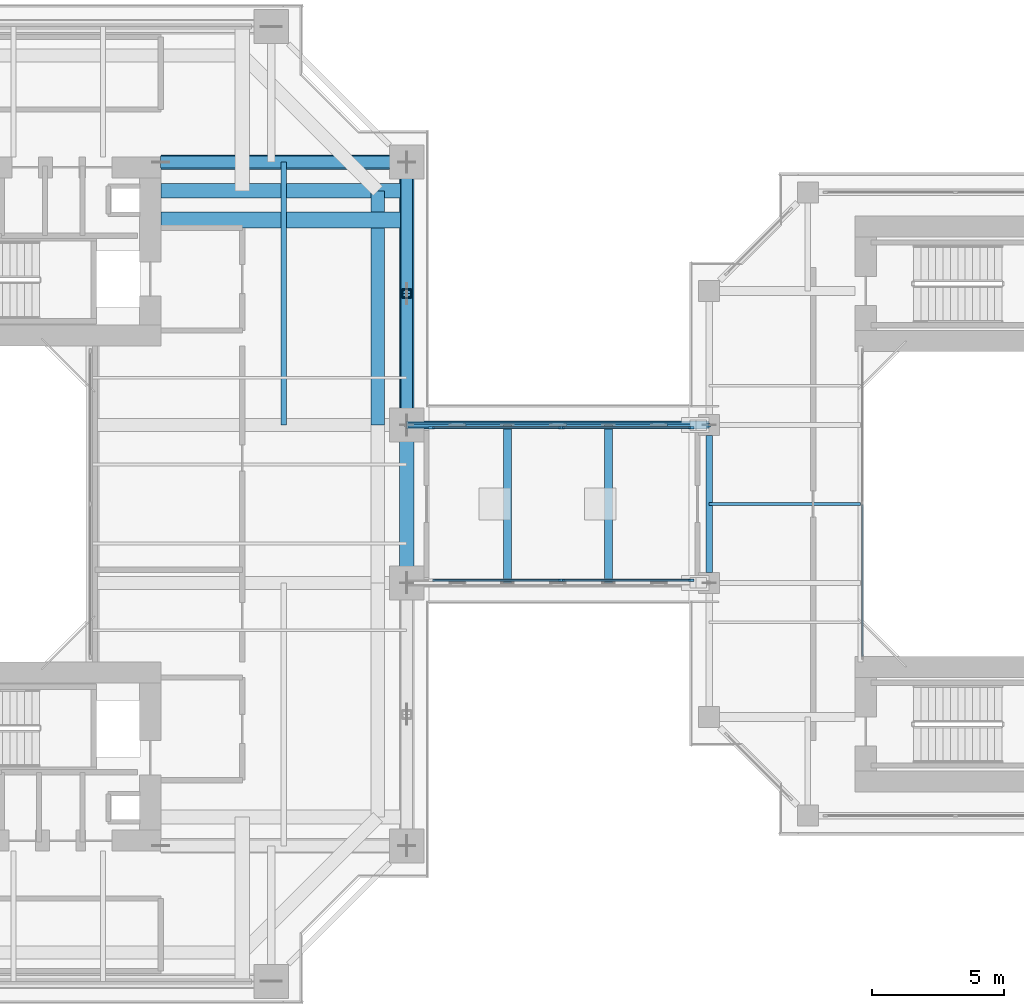
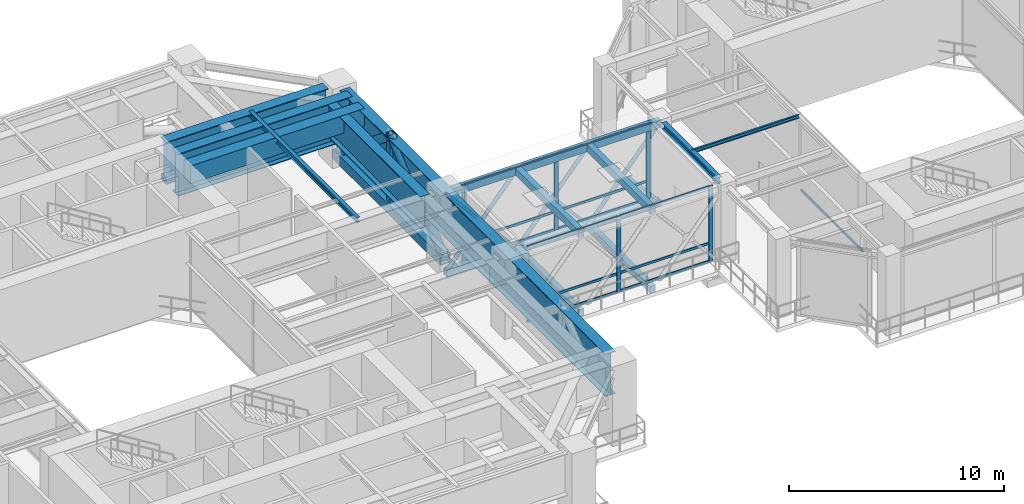
# One storey, part 7 of 25: 38 members, 8 beams, 3 elements without a shape of their own.
"""IFC4 building model written with IfcOpenShell, lengths in metres."""

from ifc_helpers import new_model, si_unit, direction, frame, origin, origin_2d, place, context, subcontext, project, spatial, rectangle, hollow_rectangle, hollow_circle, i_section, extrude, source, transform, mapped, material, layer, layer_set, material_profile, profile_set, type_object, element, aggregate, save


model = new_model("IFC4")

# Units and contexts
model_context = context("Model", 3, precision=1e-05, world=origin(), true_north=direction((0.0, 1.0)))
body_context = subcontext(model_context, "Body", "Model", "MODEL_VIEW")
ifc_project = project(units=[si_unit("LENGTHUNIT", "METRE"), si_unit("AREAUNIT", "SQUARE_METRE"), si_unit("VOLUMEUNIT", "CUBIC_METRE"), si_unit("PLANEANGLEUNIT", "RADIAN"), si_unit("MASSUNIT", "GRAM", prefix="KILO"), si_unit("THERMODYNAMICTEMPERATUREUNIT", "KELVIN"), si_unit("POWERUNIT", "WATT")], contexts=[model_context])

# Site, building, storey
site_placement = place(None, origin())
site = spatial("IfcSite", under=ifc_project, at=site_placement, CompositionType="ELEMENT")
building_placement = place(site_placement, origin())
building = spatial("IfcBuilding", under=site, at=building_placement, Name="Qiaomeng Ring Towers", CompositionType="ELEMENT")
storey_placement = place(building_placement, frame((0.0, 0.0, 92.5)))
storey = spatial("IfcBuildingStorey", under=building, at=storey_placement, Name="L26", CompositionType="ELEMENT", Elevation=92.5)

# Beams
ifc_material_1 = material(Name="Steel Q355B", Category="steel")
ifc_material_profile_1 = material_profile(ifc_material_1, i_section(OverallWidth=0.199951171875, OverallDepth=0.2939453125, WebThickness=0.008056640625, FlangeThickness=0.011962890625, FilletRadius=0.01806640625, at=origin_2d()), Name="HM 294x200x8x12")
ifc_profile_set_1 = profile_set([ifc_material_profile_1], Name="Steel Q355B")
beam_type_1 = type_object("IfcBeamType", Name="STR-BM-HM294", PredefinedType="JOIST", material=ifc_profile_set_1)
shared_shape_1 = source(origin(), body_context, "Body", "SweptSolid", [
    extrude(i_section(OverallWidth=0.199951171875, OverallDepth=0.2939453125, WebThickness=0.008056640625, FlangeThickness=0.011962890625, FilletRadius=0.01806640625, at=origin_2d()), origin(), (0.0, 0.0, 1.0), 10.0),
])
beam_1_placement = place(storey_placement, frame((32.47509765625, 26.0, 4.173095703125), z_axis=(0.0, 1.0, 0.0), x_axis=(-1.0, 0.0, 0.0)))
element("IfcBeam", 1, at=beam_1_placement, inside=storey, type_object=beam_type_1, Name="L26 beam STR-JST-L26-T1C-EN", PredefinedType="JOIST", context=body_context, shape_type="MappedRepresentation", body=[
    mapped(shared_shape_1, transform((0.0, 0.0, 0.0), x_axis=(1.0, 0.0, 0.0), y_axis=(0.0, 1.0, 0.0), z_axis=(0.0, 0.0, 1.0), scale=1.0)),
])
ifc_material_2 = material(Name="Concrete C60", Category="concrete")
ifc_material_profile_2 = material_profile(ifc_material_2, rectangle(XDim=0.60009765625, YDim=1.0, at=origin_2d()), Name="RC BM 600x1000")
ifc_profile_set_2 = profile_set([ifc_material_profile_2], Name="Concrete C60")
beam_type_2 = type_object("IfcBeamType", Name="STR-BM-RC1000", PredefinedType="LINTEL", material=ifc_profile_set_2)
shared_shape_2 = source(origin(), body_context, "Body", "SweptSolid", [
    extrude(rectangle(XDim=0.60009765625, YDim=1.0, at=origin_2d()), origin(), (0.0, 0.0, 1.0), 9.349853515625),
])
beam_2_placement = place(storey_placement, frame((27.800048828125, 33.800048828125, 3.820068359375), z_axis=(1.0, 0.0, 0.0), x_axis=(0.0, 1.0, 0.0)))
element("IfcBeam", 2, at=beam_2_placement, inside=storey, type_object=beam_type_2, Name="L26 beam STR-CB-L26-T1N", PredefinedType="LINTEL", context=body_context, shape_type="MappedRepresentation", body=[
    mapped(shared_shape_2, transform((0.0, 0.0, 0.0), x_axis=(1.0, 0.0, 0.0), y_axis=(0.0, 1.0, 0.0), z_axis=(0.0, 0.0, 1.0), scale=1.0)),
])

# Members
ifc_material_3 = material(Name="Steel Q390GJC", Category="steel")
ifc_material_profile_3 = material_profile(ifc_material_3, hollow_rectangle(XDim=0.35009765625, YDim=0.35009765625, WallThickness=0.02001953125, at=origin_2d()), Name="SHS 350x350x20")
ifc_profile_set_3 = profile_set([ifc_material_profile_3], Name="Steel Q390GJC")
member_type_1 = type_object("IfcMemberType", Name="STR-MB-POST-350", PredefinedType="POST", material=ifc_profile_set_3)
shared_shape_3 = source(origin(), body_context, "Body", "SweptSolid", [
    extrude(hollow_rectangle(XDim=0.35009765625, YDim=0.35009765625, WallThickness=0.02001953125, at=origin_2d()), origin(), (0.0, 0.0, 1.0), 4.0),
])
member_1_placement = place(storey_placement, frame((37.14990234375, 31.0, 0.320068359375), z_axis=(0.0, 0.0, 1.0), x_axis=(1.0, 0.0, 0.0)))
element("IfcMember", 3, at=member_1_placement, inside=storey, type_object=member_type_1, Name="L26 Belt Truss Post E3-E4", PredefinedType="POST", context=body_context, shape_type="MappedRepresentation", body=[
    mapped(shared_shape_3, transform((0.0, 0.0, 0.0), x_axis=(1.0, 0.0, 0.0), y_axis=(0.0, 1.0, 0.0), z_axis=(0.0, 0.0, 1.0), scale=1.0)),
])
ifc_material_profile_4 = material_profile(ifc_material_3, hollow_rectangle(XDim=0.550048828125, YDim=0.550048828125, WallThickness=0.031982421875, at=origin_2d()), Name="SHS 550x550x32")
ifc_profile_set_4 = profile_set([ifc_material_profile_4], Name="Steel Q390GJC")
member_type_2 = type_object("IfcMemberType", Name="STR-MB-CHORD-550", PredefinedType="CHORD", material=ifc_profile_set_4)
shared_shape_4 = source(origin(), body_context, "Body", "SweptSolid", [
    extrude(hollow_rectangle(XDim=0.550048828125, YDim=0.550048828125, WallThickness=0.031982421875, at=origin_2d()), origin(), (0.0, 0.0, 1.0), 10.0),
])
member_2_placement = place(storey_placement, frame((37.14990234375, 26.0, 0.320068359375), z_axis=(0.0, 1.0, 0.0), x_axis=(-1.0, 0.0, 0.0)))
element("IfcMember", 4, at=member_2_placement, inside=storey, type_object=member_type_2, Name="L26 Belt Truss Bottom Chord E3-E4", PredefinedType="CHORD", context=body_context, shape_type="MappedRepresentation", body=[
    mapped(shared_shape_4, transform((0.0, 0.0, 0.0), x_axis=(1.0, 0.0, 0.0), y_axis=(0.0, 1.0, 0.0), z_axis=(0.0, 0.0, 1.0), scale=1.0)),
])
ifc_material_profile_5 = material_profile(ifc_material_3, hollow_circle(Radius=0.228515625, WallThickness=0.028076171875, at=origin_2d()), Name="CHS 457x28")
ifc_profile_set_5 = profile_set([ifc_material_profile_5], Name="Steel Q390GJC")
member_type_3 = type_object("IfcMemberType", Name="STR-MB-BR-457", PredefinedType="BRACE", material=ifc_profile_set_5)
shared_shape_5 = source(origin(), body_context, "Body", "SweptSolid", [
    extrude(hollow_circle(Radius=0.228515625, WallThickness=0.028076171875, at=origin_2d()), origin(), (0.0, 0.0, 1.0), 6.390625),
])
for number, where, z_axis, x_axis, name in (
    (5, (37.14990234375, 26.0, 0.320068359375), (0.0, 0.782394587595, 0.622783035497), (-1.0, 0.0, 0.0), "L26 Belt Truss Diagonal E3-M"),
    (6, (37.14990234375, 36.0, 0.320068359375), (0.0, -0.782394587595, 0.622783035497), (1.0, 0.0, 0.0), "L26 Belt Truss Diagonal E4-M"),
):
    element("IfcMember", number, at=place(storey_placement, frame(where, z_axis=z_axis, x_axis=x_axis)), inside=storey, type_object=member_type_3, Name=name, PredefinedType="BRACE", context=body_context, shape_type="MappedRepresentation", body=[
        mapped(shared_shape_5, transform((0.0, 0.0, 0.0), x_axis=(1.0, 0.0, 0.0), y_axis=(0.0, 1.0, 0.0), z_axis=(0.0, 0.0, 1.0), scale=1.0)),
    ])
ifc_material_profile_6 = material_profile(ifc_material_3, hollow_rectangle(XDim=0.300048828125, YDim=0.39990234375, WallThickness=0.02197265625, at=origin_2d()), Name="RHS 400x300x22")
ifc_profile_set_6 = profile_set([ifc_material_profile_6], Name="Steel Q390GJC")
member_type_4 = type_object("IfcMemberType", Name="STR-MB-CHORD-400", PredefinedType="CHORD", material=ifc_profile_set_6)
shared_shape_6 = source(origin(), body_context, "Body", "SweptSolid", [
    extrude(hollow_rectangle(XDim=0.300048828125, YDim=0.39990234375, WallThickness=0.02197265625, at=origin_2d()), origin(), (0.0, 0.0, 1.0), 6.0),
])
for number, where, z_axis, x_axis, name in (
    (7, (40.98291015625, 20.0, -0.429931640625), (0.0, 1.0, 0.0), (-1.0, 0.0, 0.0), "Skybridge Bridge SB2 Deck Cross Beam 1"),
    (8, (40.98291015625, 20.0, 4.070068359375), (0.0, 1.0, 0.0), (-1.0, 0.0, 0.0), "Skybridge Bridge SB2 Canopy Cross Beam 1"),
    (9, (44.81689453125, 20.0, -0.429931640625), (0.0, 1.0, 0.0), (-1.0, 0.0, 0.0), "Skybridge Bridge SB2 Deck Cross Beam 2"),
    (10, (44.81689453125, 20.0, 4.070068359375), (0.0, 1.0, 0.0), (-1.0, 0.0, 0.0), "Skybridge Bridge SB2 Canopy Cross Beam 2"),
):
    element("IfcMember", number, at=place(storey_placement, frame(where, z_axis=z_axis, x_axis=x_axis)), inside=storey, type_object=member_type_4, Name=name, PredefinedType="CHORD", context=body_context, shape_type="MappedRepresentation", body=[
        mapped(shared_shape_6, transform((0.0, 0.0, 0.0), x_axis=(1.0, 0.0, 0.0), y_axis=(0.0, 1.0, 0.0), z_axis=(0.0, 0.0, 1.0), scale=1.0)),
    ])

# Beams
ifc_material_profile_7 = material_profile(ifc_material_1, i_section(OverallWidth=0.25, OverallDepth=0.340087890625, WebThickness=0.009033203125, FlangeThickness=0.013916015625, FilletRadius=0.02001953125, at=origin_2d()), Name="HM 340x250x9x14")
ifc_profile_set_7 = profile_set([ifc_material_profile_7], Name="Steel Q355B")
beam_type_3 = type_object("IfcBeamType", Name="STR-BM-HM340", PredefinedType="SPANDREL", material=ifc_profile_set_7)
shared_shape_7 = source(origin(), body_context, "Body", "SweptSolid", [
    extrude(i_section(OverallWidth=0.25, OverallDepth=0.340087890625, WebThickness=0.009033203125, FlangeThickness=0.013916015625, FilletRadius=0.02001953125, at=origin_2d()), origin(), (0.0, 0.0, 1.0), 5.2021484375),
])
beam_3_placement = place(storey_placement, frame((48.64990234375, 25.60107421875, 4.14990234375), z_axis=(0.0, -1.0, 0.0), x_axis=(1.0, 0.0, 0.0)))
element("IfcBeam", 11, at=beam_3_placement, inside=storey, type_object=beam_type_3, Name="L26 beam STR-SP-L26-T2-W3-W2", PredefinedType="SPANDREL", context=body_context, shape_type="MappedRepresentation", body=[
    mapped(shared_shape_7, transform((0.0, 0.0, 0.0), x_axis=(1.0, 0.0, 0.0), y_axis=(0.0, 1.0, 0.0), z_axis=(0.0, 0.0, 1.0), scale=1.0)),
])
ifc_material_profile_8 = material_profile(ifc_material_1, i_section(OverallWidth=0.10009765625, OverallDepth=0.199951171875, WebThickness=0.005615234375, FlangeThickness=0.008056640625, FilletRadius=0.010986328125, at=origin_2d()), Name="HN 200x100x5.5x8")
ifc_profile_set_8 = profile_set([ifc_material_profile_8], Name="Steel Q355B")
beam_type_4 = type_object("IfcBeamType", Name="STR-BM-HN200", PredefinedType="JOIST", material=ifc_profile_set_8)
shared_shape_8 = source(origin(), body_context, "Body", "SweptSolid", [
    extrude(i_section(OverallWidth=0.10009765625, OverallDepth=0.199951171875, WebThickness=0.005615234375, FlangeThickness=0.008056640625, FilletRadius=0.010986328125, at=origin_2d()), origin(), (0.0, 0.0, 1.0), 5.75),
])
beam_4_placement = place(storey_placement, frame((48.64990234375, 23.0, 4.219970703125), z_axis=(1.0, 0.0, 0.0), x_axis=(0.0, 1.0, 0.0)))
element("IfcBeam", 12, at=beam_4_placement, inside=storey, type_object=beam_type_4, Name="L26 beam STR-JST-L26-T2W-2", PredefinedType="JOIST", context=body_context, shape_type="MappedRepresentation", body=[
    mapped(shared_shape_8, transform((0.0, 0.0, 0.0), x_axis=(1.0, 0.0, 0.0), y_axis=(0.0, 1.0, 0.0), z_axis=(0.0, 0.0, 1.0), scale=1.0)),
])
ifc_material_profile_9 = material_profile(ifc_material_3, i_section(OverallWidth=0.550048828125, OverallDepth=2.39990234375, WebThickness=0.02587890625, FlangeThickness=0.035888671875, at=origin_2d()), Name="WH 2400x550x26x36")
ifc_profile_set_9 = profile_set([ifc_material_profile_9], Name="Steel Q390GJC")
beam_type_5 = type_object("IfcBeamType", Name="STR-TG-WH2400", PredefinedType="USERDEFINED", material=ifc_profile_set_9)
shared_shape_9 = source(origin(), body_context, "Body", "SweptSolid", [
    extrude(i_section(OverallWidth=0.550048828125, OverallDepth=2.39990234375, WebThickness=0.02587890625, FlangeThickness=0.035888671875, at=origin_2d()), origin(), (0.0, 0.0, 1.0), 24.7021484375),
])
beam_5_placement = place(storey_placement, frame((37.14990234375, 10.64892578125, 3.1201171875), z_axis=(0.0, 1.0, 0.0), x_axis=(-1.0, 0.0, 0.0)))
element("IfcBeam", 13, at=beam_5_placement, inside=storey, type_object=beam_type_5, Name="L26 Transfer Girder STR-TG2-L26-OUT-E", ObjectType="TRANSFER GIRDER", PredefinedType="USERDEFINED", context=body_context, shape_type="MappedRepresentation", body=[
    mapped(shared_shape_9, transform((0.0, 0.0, 0.0), x_axis=(1.0, 0.0, 0.0), y_axis=(0.0, 1.0, 0.0), z_axis=(0.0, 0.0, 1.0), scale=1.0)),
])
shared_shape_10 = source(origin(), body_context, "Body", "SweptSolid", [
    extrude(i_section(OverallWidth=0.550048828125, OverallDepth=2.39990234375, WebThickness=0.02587890625, FlangeThickness=0.035888671875, at=origin_2d()), origin(), (0.0, 0.0, 1.0), 8.700927734375),
])
beam_6_placement = place(storey_placement, frame((27.800048828125, 36.0, 3.1201171875), z_axis=(1.0, 0.0, 0.0), x_axis=(0.0, 1.0, 0.0)))
element("IfcBeam", 14, at=beam_6_placement, inside=storey, type_object=beam_type_5, Name="L26 Transfer Girder STR-TG2-L26-E4-CUR", ObjectType="TRANSFER GIRDER", PredefinedType="USERDEFINED", context=body_context, shape_type="MappedRepresentation", body=[
    mapped(shared_shape_10, transform((0.0, 0.0, 0.0), x_axis=(1.0, 0.0, 0.0), y_axis=(0.0, 1.0, 0.0), z_axis=(0.0, 0.0, 1.0), scale=1.0)),
])
shared_shape_11 = source(origin(), body_context, "Body", "SweptSolid", [
    extrude(i_section(OverallWidth=0.550048828125, OverallDepth=2.39990234375, WebThickness=0.02587890625, FlangeThickness=0.035888671875, at=origin_2d()), origin(), (0.0, 0.0, 1.0), 9.349853515625),
])
beam_7_placement = place(storey_placement, frame((27.800048828125, 34.89990234375, 3.1201171875), z_axis=(1.0, 0.0, 0.0), x_axis=(0.0, 1.0, 0.0)))
element("IfcBeam", 15, at=beam_7_placement, inside=storey, type_object=beam_type_5, Name="L26 Transfer Girder STR-TG2-L26-E4-NXT", ObjectType="TRANSFER GIRDER", PredefinedType="USERDEFINED", context=body_context, shape_type="MappedRepresentation", body=[
    mapped(shared_shape_11, transform((0.0, 0.0, 0.0), x_axis=(1.0, 0.0, 0.0), y_axis=(0.0, 1.0, 0.0), z_axis=(0.0, 0.0, 1.0), scale=1.0)),
])
ifc_material_profile_10 = material_profile(ifc_material_3, i_section(OverallWidth=0.5, OverallDepth=1.800048828125, WebThickness=0.02392578125, FlangeThickness=0.035888671875, at=origin_2d()), Name="WH 1800x500x24x36")
ifc_profile_set_10 = profile_set([ifc_material_profile_10], Name="Steel Q390GJC")
beam_type_6 = type_object("IfcBeamType", Name="STR-TG-WH1800", PredefinedType="USERDEFINED", material=ifc_profile_set_10)
shared_shape_12 = source(origin(), body_context, "Body", "SweptSolid", [
    extrude(i_section(OverallWidth=0.5, OverallDepth=1.800048828125, WebThickness=0.02392578125, FlangeThickness=0.035888671875, at=origin_2d()), origin(), (0.0, 0.0, 1.0), 8.89990234375),
])
beam_8_placement = place(storey_placement, frame((36.050048828125, 26.0, 3.419921875), z_axis=(0.0, 1.0, 0.0), x_axis=(-1.0, 0.0, 0.0)))
element("IfcBeam", 16, at=beam_8_placement, inside=storey, type_object=beam_type_6, Name="L26 Transfer Girder STR-TG3-L26-E3-E4", ObjectType="TRANSFER GIRDER", PredefinedType="USERDEFINED", context=body_context, shape_type="MappedRepresentation", body=[
    mapped(shared_shape_12, transform((0.0, 0.0, 0.0), x_axis=(1.0, 0.0, 0.0), y_axis=(0.0, 1.0, 0.0), z_axis=(0.0, 0.0, 1.0), scale=1.0)),
])

# Members
shared_shape_13 = source(origin(), body_context, "Body", "SweptSolid", [
    extrude(hollow_circle(Radius=0.228515625, WallThickness=0.028076171875, at=origin_2d()), origin(), (0.0, 0.0, 1.0), 9.3564453125),
])
member_3_placement = place(storey_placement, frame((27.800048828125, 36.0, 2.14990234375), z_axis=(0.999299702771, 0.0, 0.037417964169), x_axis=(0.0, 1.0, 0.0)))
element("IfcMember", 17, at=member_3_placement, inside=storey, type_object=member_type_3, Name="L26 Core Outrigger Truss Diagonal E4", PredefinedType="BRACE", context=body_context, shape_type="MappedRepresentation", body=[
    mapped(shared_shape_13, transform((0.0, 0.0, 0.0), x_axis=(1.0, 0.0, 0.0), y_axis=(0.0, 1.0, 0.0), z_axis=(0.0, 0.0, 1.0), scale=1.0)),
])
shared_shape_14 = source(origin(), body_context, "Body", "SweptSolid", [
    extrude(hollow_rectangle(XDim=0.300048828125, YDim=0.39990234375, WallThickness=0.02197265625, at=origin_2d()), origin(), (0.0, 0.0, 1.0), 11.5),
])
for number, where, z_axis, x_axis, name in (
    (18, (37.14990234375, 26.0, -0.429931640625), (1.0, 0.0, 0.0), (0.0, 1.0, 0.0), "Skybridge Bridge SB2 Primary Bottom Chord N"),
    (19, (37.14990234375, 26.0, 4.070068359375), (1.0, 0.0, 0.0), (0.0, 1.0, 0.0), "Skybridge Bridge SB2 Primary Top Chord N"),
):
    element("IfcMember", number, at=place(storey_placement, frame(where, z_axis=z_axis, x_axis=x_axis)), inside=storey, type_object=member_type_4, Name=name, PredefinedType="CHORD", context=body_context, shape_type="MappedRepresentation", body=[
        mapped(shared_shape_14, transform((0.0, 0.0, 0.0), x_axis=(1.0, 0.0, 0.0), y_axis=(0.0, 1.0, 0.0), z_axis=(0.0, 0.0, 1.0), scale=1.0)),
    ])
ifc_material_profile_11 = material_profile(ifc_material_3, hollow_circle(Radius=0.109619140625, WallThickness=0.011962890625, at=origin_2d()), Name="CHS 219x12")
ifc_profile_set_11 = profile_set([ifc_material_profile_11], Name="Steel Q390GJC")
member_type_5 = type_object("IfcMemberType", Name="STR-MB-BR-219", PredefinedType="BRACE", material=ifc_profile_set_11)
shared_shape_15 = source(origin(), body_context, "Body", "SweptSolid", [
    extrude(hollow_circle(Radius=0.109619140625, WallThickness=0.011962890625, at=origin_2d()), origin(), (0.0, 0.0, 1.0), 5.9111328125),
])
for number, where, z_axis, x_axis, name in (
    (20, (37.14990234375, 26.0, -0.429931640625), (0.64843454317, 0.0, 0.761270413995), (0.0, 1.0, 0.0), "Skybridge Bridge SB2 Truss Diagonal N-1"),
    (21, (44.81689453125, 26.0, -0.429931640625), (0.64843454317, 0.0, 0.761270413995), (0.0, 1.0, 0.0), "Skybridge Bridge SB2 Truss Diagonal N-3"),
):
    element("IfcMember", number, at=place(storey_placement, frame(where, z_axis=z_axis, x_axis=x_axis)), inside=storey, type_object=member_type_5, Name=name, PredefinedType="BRACE", context=body_context, shape_type="MappedRepresentation", body=[
        mapped(shared_shape_15, transform((0.0, 0.0, 0.0), x_axis=(1.0, 0.0, 0.0), y_axis=(0.0, 1.0, 0.0), z_axis=(0.0, 0.0, 1.0), scale=1.0)),
    ])
ifc_material_profile_12 = material_profile(ifc_material_3, hollow_circle(Radius=0.083984375, WallThickness=0.008056640625, at=origin_2d()), Name="CHS 168x8")
ifc_profile_set_12 = profile_set([ifc_material_profile_12], Name="Steel Q390GJC")
member_type_6 = type_object("IfcMemberType", Name="STR-MB-BR-168", PredefinedType="BRACE", material=ifc_profile_set_12)
shared_shape_16 = source(origin(), body_context, "Body", "SweptSolid", [
    extrude(hollow_circle(Radius=0.083984375, WallThickness=0.008056640625, at=origin_2d()), origin(), (0.0, 0.0, 1.0), 2.541748046875),
])
for number, where, z_axis, x_axis, name in (
    (22, (40.98291015625, 26.0, -0.429931640625), (-0.648470578799, 0.0, 0.761239718113), (0.0, -1.0, 0.0), "Skybridge Bridge SB2 Split X-Brace Lower N-1"),
    (23, (38.798095703125, 26.0, 2.135009765625), (-0.648423164028, 0.0, 0.761280106368), (0.0, -1.0, 0.0), "Skybridge Bridge SB2 Split X-Brace Upper N-1"),
    (24, (44.81689453125, 26.0, -0.429931640625), (-0.648526236398, 0.0, 0.761192302052), (0.0, -1.0, 0.0), "Skybridge Bridge SB2 Split X-Brace Lower N-2"),
    (25, (48.64990234375, 26.0, -0.429931640625), (-0.648470578799, 0.0, 0.761239718113), (0.0, -1.0, 0.0), "Skybridge Bridge SB2 Split X-Brace Lower N-3"),
    (26, (46.465087890625, 26.0, 2.135009765625), (-0.648423164028, 0.0, 0.761280106368), (0.0, -1.0, 0.0), "Skybridge Bridge SB2 Split X-Brace Upper N-3"),
):
    element("IfcMember", number, at=place(storey_placement, frame(where, z_axis=z_axis, x_axis=x_axis)), inside=storey, type_object=member_type_6, Name=name, PredefinedType="BRACE", context=body_context, shape_type="MappedRepresentation", body=[
        mapped(shared_shape_16, transform((0.0, 0.0, 0.0), x_axis=(1.0, 0.0, 0.0), y_axis=(0.0, 1.0, 0.0), z_axis=(0.0, 0.0, 1.0), scale=1.0)),
    ])
shared_shape_17 = source(origin(), body_context, "Body", "SweptSolid", [
    extrude(hollow_circle(Radius=0.109619140625, WallThickness=0.011962890625, at=origin_2d()), origin(), (0.0, 0.0, 1.0), 5.911865234375),
])
member_4_placement = place(storey_placement, frame((40.98291015625, 26.0, -0.429931640625), z_axis=(0.648530270204, 0.0, 0.761188865282), x_axis=(0.0, 1.0, 0.0)))
element("IfcMember", 27, at=member_4_placement, inside=storey, type_object=member_type_5, Name="Skybridge Bridge SB2 Truss Diagonal N-2", PredefinedType="BRACE", context=body_context, shape_type="MappedRepresentation", body=[
    mapped(shared_shape_17, transform((0.0, 0.0, 0.0), x_axis=(1.0, 0.0, 0.0), y_axis=(0.0, 1.0, 0.0), z_axis=(0.0, 0.0, 1.0), scale=1.0)),
])
shared_shape_18 = source(origin(), body_context, "Body", "SweptSolid", [
    extrude(hollow_circle(Radius=0.083984375, WallThickness=0.008056640625, at=origin_2d()), origin(), (0.0, 0.0, 1.0), 2.542236328125),
])
member_5_placement = place(storey_placement, frame((42.631591796875, 26.0, 2.135009765625), z_axis=(-0.648534472502, 0.0, 0.761185284918), x_axis=(0.0, -1.0, 0.0)))
element("IfcMember", 28, at=member_5_placement, inside=storey, type_object=member_type_6, Name="Skybridge Bridge SB2 Split X-Brace Upper N-2", PredefinedType="BRACE", context=body_context, shape_type="MappedRepresentation", body=[
    mapped(shared_shape_18, transform((0.0, 0.0, 0.0), x_axis=(1.0, 0.0, 0.0), y_axis=(0.0, 1.0, 0.0), z_axis=(0.0, 0.0, 1.0), scale=1.0)),
])

# Curtain wall, member
ifc_material_4 = material(Name="Fluorocarbon dark-grey aluminium", Category="aluminium")
ifc_layer_1 = layer(ifc_material_4, 0.139892578125, Name="Fluorocarbon dark-grey aluminium")
ifc_layer_set_1 = layer_set([ifc_layer_1], Name="Fluorocarbon dark-grey aluminium")
curtain_wall_type_1 = type_object("IfcCurtainWallType", Name="ARC-CW-4", PredefinedType="NOTDEFINED", material=ifc_layer_set_1)
curtain_wall_1_placement = place(storey_placement, origin())
curtain_wall_1 = element("IfcCurtainWall", 29, at=curtain_wall_1_placement, inside=storey, type_object=curtain_wall_type_1, Name="L26 Curtain Wall CW4", PredefinedType="NOTDEFINED")
ifc_material_profile_13 = material_profile(ifc_material_4, rectangle(XDim=0.06494140625, YDim=0.1298828125, at=origin_2d()), Name="ALU TRAN 65x130")
ifc_profile_set_13 = profile_set([ifc_material_profile_13], Name="Fluorocarbon dark-grey aluminium")
member_type_7 = type_object("IfcMemberType", Name="ARC-CWT-120", PredefinedType="USERDEFINED", material=ifc_profile_set_13)
shared_shape_19 = source(origin(), body_context, "Body", "SweptSolid", [
    extrude(rectangle(XDim=0.06494140625, YDim=0.1298828125, at=origin_2d()), origin(), (0.0, 0.0, 1.0), 5.75244140625),
])
member_6_placement = place(storey_placement, frame((54.47998046875, 17.215087890625, 0.032470703125), z_axis=(0.0, 1.0, 0.0), x_axis=(-1.0, 0.0, 0.0)))
member_6 = element("IfcMember", 30, at=member_6_placement, type_object=member_type_7, Name="CW4 transom 1.1", ObjectType="TRANSOM", PredefinedType="USERDEFINED", context=body_context, shape_type="MappedRepresentation", body=[
    mapped(shared_shape_19, transform((0.0, 0.0, 0.0), x_axis=(1.0, 0.0, 0.0), y_axis=(0.0, 1.0, 0.0), z_axis=(0.0, 0.0, 1.0), scale=1.0)),
])
aggregate(curtain_wall_1, [member_6])

# Curtain wall, members
ifc_layer_2 = layer(ifc_material_4, 0.169921875, Name="Fluorocarbon dark-grey aluminium")
ifc_layer_set_2 = layer_set([ifc_layer_2], Name="Fluorocarbon dark-grey aluminium")
curtain_wall_type_2 = type_object("IfcCurtainWallType", Name="ARC-CW-6", PredefinedType="NOTDEFINED", material=ifc_layer_set_2)
curtain_wall_2_placement = place(storey_placement, origin())
curtain_wall_2 = element("IfcCurtainWall", 31, at=curtain_wall_2_placement, inside=storey, type_object=curtain_wall_type_2, Name="L26 Curtain Wall CW6", PredefinedType="NOTDEFINED")
ifc_material_profile_14 = material_profile(ifc_material_4, rectangle(XDim=0.080078125, YDim=0.219970703125, at=origin_2d()), Name="ALU MULL 80x220")
ifc_profile_set_14 = profile_set([ifc_material_profile_14], Name="Fluorocarbon dark-grey aluminium")
member_type_8 = type_object("IfcMemberType", Name="ARC-CWM-180", PredefinedType="MULLION", material=ifc_profile_set_14)
shared_shape_20 = source(origin(), body_context, "Body", "SweptSolid", [
    extrude(rectangle(XDim=0.080078125, YDim=0.219970703125, at=origin_2d()), origin(), (0.0, 0.0, 1.0), 4.280029296875),
])
member_7_placement = place(storey_placement, frame((43.030029296875, 20.10009765625, 0.0), z_axis=(0.0, 0.0, 1.0), x_axis=(0.0, 1.0, 0.0)))
member_7 = element("IfcMember", 32, at=member_7_placement, type_object=member_type_8, Name="CW6 mullion 2", PredefinedType="MULLION", context=body_context, shape_type="MappedRepresentation", body=[
    mapped(shared_shape_20, transform((0.0, 0.0, 0.0), x_axis=(1.0, 0.0, 0.0), y_axis=(0.0, 1.0, 0.0), z_axis=(0.0, 0.0, 1.0), scale=1.0)),
])
member_8_placement = place(storey_placement, frame((47.969970703125, 20.10009765625, 0.0), z_axis=(0.0, 0.0, 1.0), x_axis=(0.0, 1.0, 0.0)))
member_8 = element("IfcMember", 33, at=member_8_placement, type_object=member_type_8, Name="CW6 mullion 3", PredefinedType="MULLION", context=body_context, shape_type="MappedRepresentation", body=[
    mapped(shared_shape_20, transform((0.0, 0.0, 0.0), x_axis=(1.0, 0.0, 0.0), y_axis=(0.0, 1.0, 0.0), z_axis=(0.0, 0.0, 1.0), scale=1.0)),
])

curtain_wall_3_placement = place(storey_placement, origin())
curtain_wall_3 = element("IfcCurtainWall", 34, at=curtain_wall_3_placement, inside=storey, type_object=curtain_wall_type_2, Name="L26 Curtain Wall CW6", PredefinedType="NOTDEFINED")
member_9_placement = place(storey_placement, frame((38.090087890625, 25.89990234375, 0.0), z_axis=(0.0, 0.0, 1.0), x_axis=(0.0, 1.0, 0.0)))
member_9 = element("IfcMember", 35, at=member_9_placement, type_object=member_type_8, Name="CW6 mullion 1", PredefinedType="MULLION", context=body_context, shape_type="MappedRepresentation", body=[
    mapped(shared_shape_20, transform((0.0, 0.0, 0.0), x_axis=(1.0, 0.0, 0.0), y_axis=(0.0, 1.0, 0.0), z_axis=(0.0, 0.0, 1.0), scale=1.0)),
])
member_10_placement = place(storey_placement, frame((43.030029296875, 25.89990234375, 0.0), z_axis=(0.0, 0.0, 1.0), x_axis=(0.0, 1.0, 0.0)))
member_10 = element("IfcMember", 36, at=member_10_placement, type_object=member_type_8, Name="CW6 mullion 2", PredefinedType="MULLION", context=body_context, shape_type="MappedRepresentation", body=[
    mapped(shared_shape_20, transform((0.0, 0.0, 0.0), x_axis=(1.0, 0.0, 0.0), y_axis=(0.0, 1.0, 0.0), z_axis=(0.0, 0.0, 1.0), scale=1.0)),
])
member_11_placement = place(storey_placement, frame((47.969970703125, 25.89990234375, 0.0), z_axis=(0.0, 0.0, 1.0), x_axis=(0.0, 1.0, 0.0)))
member_11 = element("IfcMember", 37, at=member_11_placement, type_object=member_type_8, Name="CW6 mullion 3", PredefinedType="MULLION", context=body_context, shape_type="MappedRepresentation", body=[
    mapped(shared_shape_20, transform((0.0, 0.0, 0.0), x_axis=(1.0, 0.0, 0.0), y_axis=(0.0, 1.0, 0.0), z_axis=(0.0, 0.0, 1.0), scale=1.0)),
])

# Member
ifc_material_profile_15 = material_profile(ifc_material_4, rectangle(XDim=0.070068359375, YDim=0.139892578125, at=origin_2d()), Name="ALU TRAN 70x140")
ifc_profile_set_15 = profile_set([ifc_material_profile_15], Name="Fluorocarbon dark-grey aluminium")
member_type_9 = type_object("IfcMemberType", Name="ARC-CWT-140", PredefinedType="USERDEFINED", material=ifc_profile_set_15)
shared_shape_21 = source(origin(), body_context, "Body", "SweptSolid", [
    extrude(rectangle(XDim=0.070068359375, YDim=0.139892578125, at=origin_2d()), origin(), (0.0, 0.0, 1.0), 4.860107421875),
])
member_12_placement = place(storey_placement, frame((38.1298828125, 20.10009765625, 0.034912109375), z_axis=(1.0, 0.0, 0.0), x_axis=(0.0, 1.0, 0.0)))
member_12 = element("IfcMember", 38, at=member_12_placement, type_object=member_type_9, Name="CW6 transom 1.1", ObjectType="TRANSOM", PredefinedType="USERDEFINED", context=body_context, shape_type="MappedRepresentation", body=[
    mapped(shared_shape_21, transform((0.0, 0.0, 0.0), x_axis=(1.0, 0.0, 0.0), y_axis=(0.0, 1.0, 0.0), z_axis=(0.0, 0.0, 1.0), scale=1.0)),
])

member_13_placement = place(storey_placement, frame((38.1298828125, 20.10009765625, 1.050048828125), z_axis=(1.0, 0.0, 0.0), x_axis=(0.0, 1.0, 0.0)))
member_13 = element("IfcMember", 39, at=member_13_placement, type_object=member_type_9, Name="CW6 transom 1.2", ObjectType="TRANSOM", PredefinedType="USERDEFINED", context=body_context, shape_type="MappedRepresentation", body=[
    mapped(shared_shape_21, transform((0.0, 0.0, 0.0), x_axis=(1.0, 0.0, 0.0), y_axis=(0.0, 1.0, 0.0), z_axis=(0.0, 0.0, 1.0), scale=1.0)),
])

member_14_placement = place(storey_placement, frame((38.1298828125, 20.10009765625, 4.2451171875), z_axis=(1.0, 0.0, 0.0), x_axis=(0.0, 1.0, 0.0)))
member_14 = element("IfcMember", 40, at=member_14_placement, type_object=member_type_9, Name="CW6 transom 1.3", ObjectType="TRANSOM", PredefinedType="USERDEFINED", context=body_context, shape_type="MappedRepresentation", body=[
    mapped(shared_shape_21, transform((0.0, 0.0, 0.0), x_axis=(1.0, 0.0, 0.0), y_axis=(0.0, 1.0, 0.0), z_axis=(0.0, 0.0, 1.0), scale=1.0)),
])

member_15_placement = place(storey_placement, frame((38.1298828125, 25.89990234375, 0.034912109375), z_axis=(1.0, 0.0, 0.0), x_axis=(0.0, 1.0, 0.0)))
member_15 = element("IfcMember", 41, at=member_15_placement, type_object=member_type_9, Name="CW6 transom 1.1", ObjectType="TRANSOM", PredefinedType="USERDEFINED", context=body_context, shape_type="MappedRepresentation", body=[
    mapped(shared_shape_21, transform((0.0, 0.0, 0.0), x_axis=(1.0, 0.0, 0.0), y_axis=(0.0, 1.0, 0.0), z_axis=(0.0, 0.0, 1.0), scale=1.0)),
])

member_16_placement = place(storey_placement, frame((38.1298828125, 25.89990234375, 1.050048828125), z_axis=(1.0, 0.0, 0.0), x_axis=(0.0, 1.0, 0.0)))
member_16 = element("IfcMember", 42, at=member_16_placement, type_object=member_type_9, Name="CW6 transom 1.2", ObjectType="TRANSOM", PredefinedType="USERDEFINED", context=body_context, shape_type="MappedRepresentation", body=[
    mapped(shared_shape_21, transform((0.0, 0.0, 0.0), x_axis=(1.0, 0.0, 0.0), y_axis=(0.0, 1.0, 0.0), z_axis=(0.0, 0.0, 1.0), scale=1.0)),
])

member_17_placement = place(storey_placement, frame((38.1298828125, 25.89990234375, 4.2451171875), z_axis=(1.0, 0.0, 0.0), x_axis=(0.0, 1.0, 0.0)))
member_17 = element("IfcMember", 43, at=member_17_placement, type_object=member_type_9, Name="CW6 transom 1.3", ObjectType="TRANSOM", PredefinedType="USERDEFINED", context=body_context, shape_type="MappedRepresentation", body=[
    mapped(shared_shape_21, transform((0.0, 0.0, 0.0), x_axis=(1.0, 0.0, 0.0), y_axis=(0.0, 1.0, 0.0), z_axis=(0.0, 0.0, 1.0), scale=1.0)),
])

shared_shape_22 = source(origin(), body_context, "Body", "SweptSolid", [
    extrude(rectangle(XDim=0.070068359375, YDim=0.139892578125, at=origin_2d()), origin(), (0.0, 0.0, 1.0), 4.85986328125),
])
member_18_placement = place(storey_placement, frame((43.070068359375, 20.10009765625, 0.034912109375), z_axis=(1.0, 0.0, 0.0), x_axis=(0.0, 1.0, 0.0)))
member_18 = element("IfcMember", 44, at=member_18_placement, type_object=member_type_9, Name="CW6 transom 2.1", ObjectType="TRANSOM", PredefinedType="USERDEFINED", context=body_context, shape_type="MappedRepresentation", body=[
    mapped(shared_shape_22, transform((0.0, 0.0, 0.0), x_axis=(1.0, 0.0, 0.0), y_axis=(0.0, 1.0, 0.0), z_axis=(0.0, 0.0, 1.0), scale=1.0)),
])

member_19_placement = place(storey_placement, frame((43.070068359375, 20.10009765625, 1.050048828125), z_axis=(1.0, 0.0, 0.0), x_axis=(0.0, 1.0, 0.0)))
member_19 = element("IfcMember", 45, at=member_19_placement, type_object=member_type_9, Name="CW6 transom 2.2", ObjectType="TRANSOM", PredefinedType="USERDEFINED", context=body_context, shape_type="MappedRepresentation", body=[
    mapped(shared_shape_22, transform((0.0, 0.0, 0.0), x_axis=(1.0, 0.0, 0.0), y_axis=(0.0, 1.0, 0.0), z_axis=(0.0, 0.0, 1.0), scale=1.0)),
])

member_20_placement = place(storey_placement, frame((43.070068359375, 20.10009765625, 4.2451171875), z_axis=(1.0, 0.0, 0.0), x_axis=(0.0, 1.0, 0.0)))
member_20 = element("IfcMember", 46, at=member_20_placement, type_object=member_type_9, Name="CW6 transom 2.3", ObjectType="TRANSOM", PredefinedType="USERDEFINED", context=body_context, shape_type="MappedRepresentation", body=[
    mapped(shared_shape_22, transform((0.0, 0.0, 0.0), x_axis=(1.0, 0.0, 0.0), y_axis=(0.0, 1.0, 0.0), z_axis=(0.0, 0.0, 1.0), scale=1.0)),
])

aggregate(curtain_wall_2, [member_7, member_8, member_12, member_13, member_14, member_18, member_19, member_20])

member_21_placement = place(storey_placement, frame((43.070068359375, 25.89990234375, 0.034912109375), z_axis=(1.0, 0.0, 0.0), x_axis=(0.0, 1.0, 0.0)))
member_21 = element("IfcMember", 47, at=member_21_placement, type_object=member_type_9, Name="CW6 transom 2.1", ObjectType="TRANSOM", PredefinedType="USERDEFINED", context=body_context, shape_type="MappedRepresentation", body=[
    mapped(shared_shape_22, transform((0.0, 0.0, 0.0), x_axis=(1.0, 0.0, 0.0), y_axis=(0.0, 1.0, 0.0), z_axis=(0.0, 0.0, 1.0), scale=1.0)),
])

member_22_placement = place(storey_placement, frame((43.070068359375, 25.89990234375, 1.050048828125), z_axis=(1.0, 0.0, 0.0), x_axis=(0.0, 1.0, 0.0)))
member_22 = element("IfcMember", 48, at=member_22_placement, type_object=member_type_9, Name="CW6 transom 2.2", ObjectType="TRANSOM", PredefinedType="USERDEFINED", context=body_context, shape_type="MappedRepresentation", body=[
    mapped(shared_shape_22, transform((0.0, 0.0, 0.0), x_axis=(1.0, 0.0, 0.0), y_axis=(0.0, 1.0, 0.0), z_axis=(0.0, 0.0, 1.0), scale=1.0)),
])

member_23_placement = place(storey_placement, frame((43.070068359375, 25.89990234375, 4.2451171875), z_axis=(1.0, 0.0, 0.0), x_axis=(0.0, 1.0, 0.0)))
member_23 = element("IfcMember", 49, at=member_23_placement, type_object=member_type_9, Name="CW6 transom 2.3", ObjectType="TRANSOM", PredefinedType="USERDEFINED", context=body_context, shape_type="MappedRepresentation", body=[
    mapped(shared_shape_22, transform((0.0, 0.0, 0.0), x_axis=(1.0, 0.0, 0.0), y_axis=(0.0, 1.0, 0.0), z_axis=(0.0, 0.0, 1.0), scale=1.0)),
])

aggregate(curtain_wall_3, [member_9, member_10, member_11, member_15, member_16, member_17, member_21, member_22, member_23])

save(model, "model.ifc")
